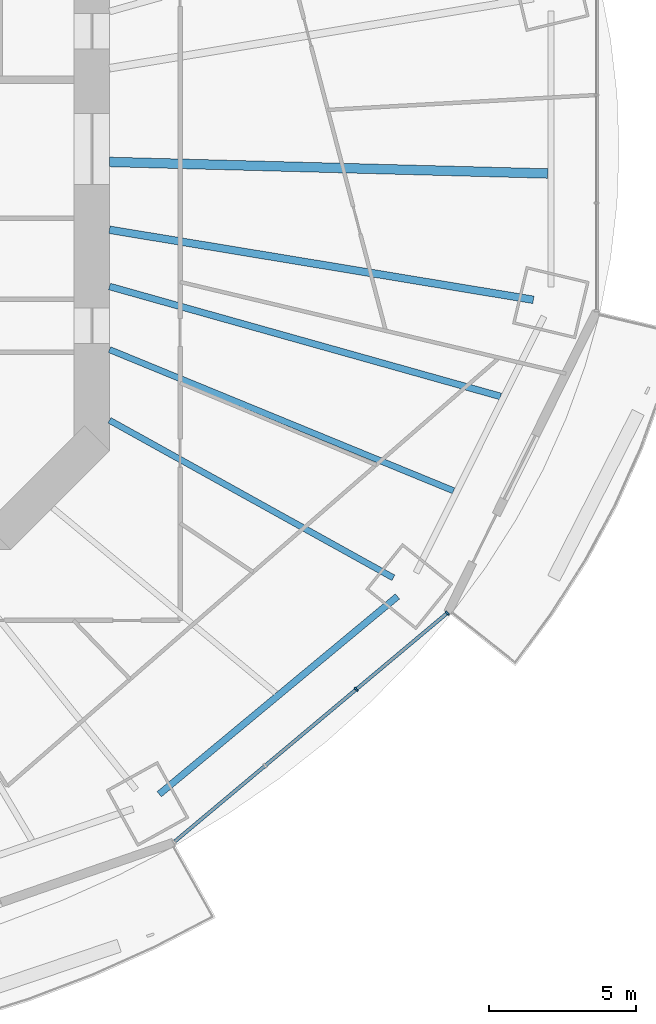
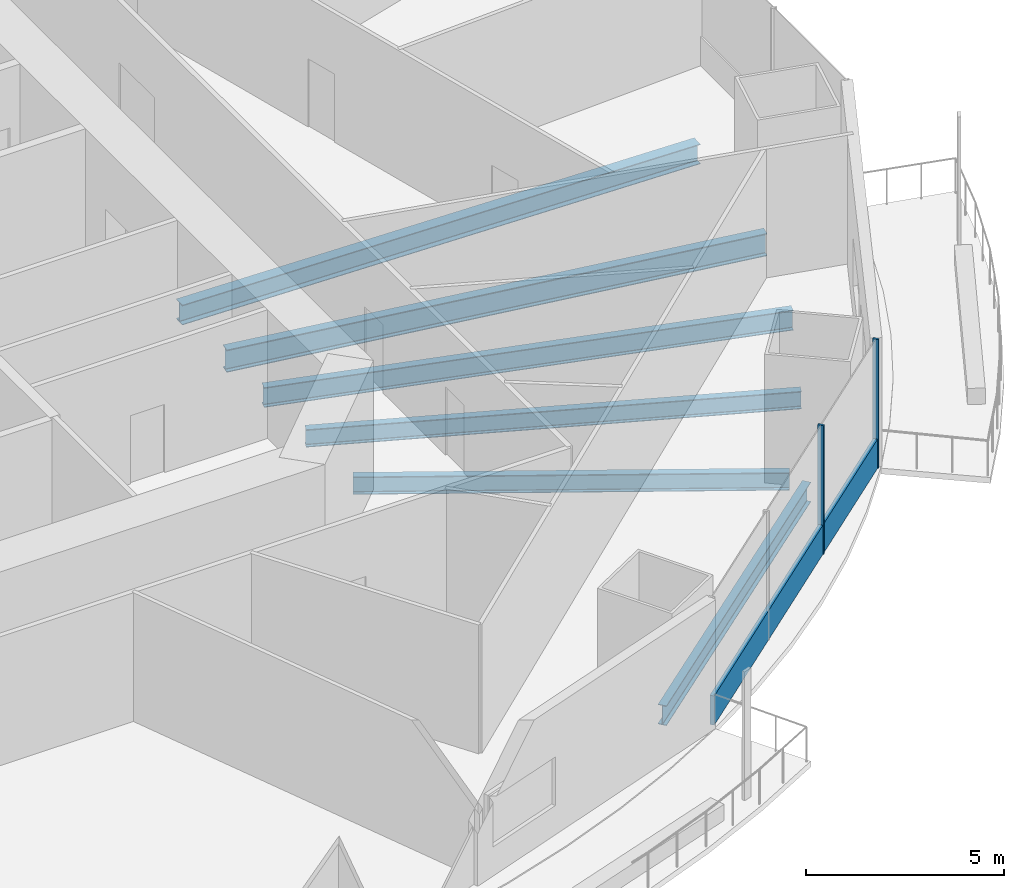
# One storey, part 5 of 21: 6 beams, 3 members, 1 element without a shape of its own.
"""IFC4 building model written with IfcOpenShell, lengths in metres."""

from ifc_helpers import new_model, si_unit, direction, frame, origin, origin_2d, place, context, subcontext, project, spatial, rectangle, i_section, extrude, material, material_profile, profile_set, type_object, element, aggregate, save


model = new_model("IFC4")

# Units and contexts
model_context = context("Model", 3, precision=1e-05, world=origin(), true_north=direction((0.0, 1.0)))
body_context = subcontext(model_context, "Body", "Model", "MODEL_VIEW")
ifc_project = project(units=[si_unit("LENGTHUNIT", "METRE"), si_unit("AREAUNIT", "SQUARE_METRE"), si_unit("VOLUMEUNIT", "CUBIC_METRE"), si_unit("PLANEANGLEUNIT", "RADIAN"), si_unit("MASSUNIT", "GRAM", prefix="KILO")], contexts=[model_context])

# Site, building, storey
site_placement = place(None, origin())
site = spatial("IfcSite", under=ifc_project, at=site_placement, CompositionType="ELEMENT")
building_placement = place(site_placement, origin())
building = spatial("IfcBuilding", under=site, at=building_placement, Name="Marenthal Gate Tower", CompositionType="ELEMENT")
storey_placement = place(building_placement, frame((0.0, 0.0, 128.449951171875)))
storey = spatial("IfcBuildingStorey", under=building, at=storey_placement, Name="L27", CompositionType="ELEMENT", Elevation=128.449951171875)

# Curtain wall, members
ifc_material_1 = material(Name="Aluminium and glass", Category="aluminium")
curtain_wall_type = type_object("IfcCurtainWallType", Name="Curtain wall typical low", PredefinedType="NOTDEFINED", material=ifc_material_1)
curtain_wall_placement = place(storey_placement, origin())
curtain_wall = element("IfcCurtainWall", 1, at=curtain_wall_placement, inside=storey, type_object=curtain_wall_type, Name="Curtain wall L27 bay 14", PredefinedType="NOTDEFINED")
ifc_material_2 = material(Name="Aluminium", Category="aluminium")
ifc_material_profile_1 = material_profile(ifc_material_2, rectangle(XDim=0.159912109375, YDim=0.06005859375, at=origin_2d()), Name="60x160 aluminium mullion")
ifc_profile_set_1 = profile_set([ifc_material_profile_1], Name="Aluminium")
member_type_1 = type_object("IfcMemberType", Name="Mullion 60x160 typical low", PredefinedType="MULLION", material=ifc_profile_set_1)
member_1_placement = place(storey_placement, frame((24.975830078125, -18.345947265625, 0.0), z_axis=(0.0, 0.0, 1.0), x_axis=(-0.642437868504, 0.766337774817, 0.0)))
member_1 = element("IfcMember", 2, at=member_1_placement, type_object=member_type_1, Name="Mullion L27 bay 14.3", PredefinedType="MULLION", context=body_context, shape_type="SweptSolid", body=[
    extrude(rectangle(XDim=0.159912109375, YDim=0.06005859375, at=origin_2d()), origin(), (0.0, 0.0, 1.0), 3.969970703125),
])
member_2_placement = place(storey_placement, frame((28.0673828125, -15.754150390625, 0.0), z_axis=(0.0, 0.0, 1.0), x_axis=(-0.642437868504, 0.766337774817, 0.0)))
member_2 = element("IfcMember", 3, at=member_2_placement, type_object=member_type_1, Name="Mullion L27 bay 14.4", PredefinedType="MULLION", context=body_context, shape_type="SweptSolid", body=[
    extrude(rectangle(XDim=0.159912109375, YDim=0.06005859375, at=origin_2d()), origin(), (0.0, 0.0, 1.0), 3.969970703125),
])
ifc_material_3 = material(Name="Aluminium", Category="aluminium")
ifc_material_profile_2 = material_profile(ifc_material_3, rectangle(XDim=0.1201171875, YDim=0.89990234375, at=origin_2d()), Name="120x900 aluminium transom")
ifc_profile_set_2 = profile_set([ifc_material_profile_2], Name="Aluminium")
member_type_2 = type_object("IfcMemberType", Name="Transom 120x900 typical low", PredefinedType="USERDEFINED", material=ifc_profile_set_2)
member_3_placement = place(storey_placement, frame((18.8154296875, -23.51025390625, 0.449951171875), z_axis=(0.766340278264, 0.642434882233, 0.0), x_axis=(-0.642434882233, 0.766340278264, 0.0)))
member_3 = element("IfcMember", 4, at=member_3_placement, type_object=member_type_2, Name="Transom L27 bay 14", ObjectType="TRANSOM", PredefinedType="USERDEFINED", context=body_context, shape_type="SweptSolid", body=[
    extrude(rectangle(XDim=0.1201171875, YDim=0.89990234375, at=origin_2d()), origin(), (0.0, 0.0, 1.0), 12.04296875),
])
aggregate(curtain_wall, [member_1, member_2, member_3])

# Beams
ifc_material_4 = material(Name="Steel S355", Category="steel")
ifc_material_profile_3 = material_profile(ifc_material_4, i_section(OverallWidth=0.2119140625, OverallDepth=0.5439453125, WebThickness=0.01318359375, FlangeThickness=0.021240234375, FilletRadius=0.0126953125, at=origin_2d()), Name="W530X123")
ifc_profile_set_3 = profile_set([ifc_material_profile_3], Name="Steel S355")
beam_type_1 = type_object("IfcBeamType", Name="W530X123 beam", PredefinedType="BEAM", material=ifc_profile_set_3)
beam_1_placement = place(storey_placement, frame((26.23779296875, -14.55810546875, -0.451904296875), z_axis=(-0.874421492378, 0.485167036872, 0.0), x_axis=(-0.485167036872, -0.874421492378, 0.0)))
element("IfcBeam", 5, at=beam_1_placement, inside=storey, type_object=beam_type_1, Name="BM-L27-15", PredefinedType="BEAM", context=body_context, shape_type="SweptSolid", body=[
    extrude(i_section(OverallWidth=0.2119140625, OverallDepth=0.5439453125, WebThickness=0.01318359375, FlangeThickness=0.021240234375, FilletRadius=0.0126953125, at=origin_2d()), origin(), (0.0, 0.0, 1.0), 11.021728515625),
])
beam_2_placement = place(storey_placement, frame((28.281005859375, -11.603515625, -0.451904296875), z_axis=(-0.925153122317, 0.379594125702, 0.0), x_axis=(-0.379594125702, -0.925153122317, 0.0)))
element("IfcBeam", 6, at=beam_2_placement, inside=storey, type_object=beam_type_1, Name="BM-L27-38", PredefinedType="BEAM", context=body_context, shape_type="SweptSolid", body=[
    extrude(i_section(OverallWidth=0.2119140625, OverallDepth=0.5439453125, WebThickness=0.01318359375, FlangeThickness=0.021240234375, FilletRadius=0.0126953125, at=origin_2d()), origin(), (0.0, 0.0, 1.0), 12.6259765625),
])
ifc_material_5 = material(Name="Steel S355", Category="steel")
ifc_material_profile_4 = material_profile(ifc_material_5, i_section(OverallWidth=0.22900390625, OverallDepth=0.612060546875, WebThickness=0.011962890625, FlangeThickness=0.01953125, FilletRadius=0.0126953125, at=origin_2d()), Name="W610X125")
ifc_profile_set_4 = profile_set([ifc_material_profile_4], Name="Steel S355")
beam_type_2 = type_object("IfcBeamType", Name="W610X125 beam", PredefinedType="BEAM", material=ifc_profile_set_4)
beam_3_placement = place(storey_placement, frame((29.87841796875, -8.401123046875, -0.48583984375), z_axis=(-0.962667661215, 0.270686117213, 0.0), x_axis=(-0.270686117213, -0.962667661215, 0.0)))
element("IfcBeam", 7, at=beam_3_placement, inside=storey, type_object=beam_type_2, Name="BM-L27-39", PredefinedType="BEAM", context=body_context, shape_type="SweptSolid", body=[
    extrude(i_section(OverallWidth=0.22900390625, OverallDepth=0.612060546875, WebThickness=0.011962890625, FlangeThickness=0.01953125, FilletRadius=0.0126953125, at=origin_2d()), origin(), (0.0, 0.0, 1.0), 13.793212890625),
])
beam_4_placement = place(storey_placement, frame((18.289794921875, -21.904541015625, -0.48583984375), z_axis=(0.769335786628, 0.638844619148, 0.0), x_axis=(-0.638844619148, 0.769335786628, 0.0)))
element("IfcBeam", 8, at=beam_4_placement, inside=storey, type_object=beam_type_2, Name="BM-L27-54", PredefinedType="BEAM", context=body_context, shape_type="SweptSolid", body=[
    extrude(i_section(OverallWidth=0.22900390625, OverallDepth=0.612060546875, WebThickness=0.011962890625, FlangeThickness=0.01953125, FilletRadius=0.0126953125, at=origin_2d()), origin(), (0.0, 0.0, 1.0), 10.510986328125),
])
ifc_material_6 = material(Name="Steel S355", Category="steel")
ifc_material_profile_5 = material_profile(ifc_material_6, i_section(OverallWidth=0.324951171875, OverallDepth=0.612060546875, WebThickness=0.0126953125, FlangeThickness=0.01904296875, FilletRadius=0.0126953125, at=origin_2d()), Name="W610X155")
ifc_profile_set_5 = profile_set([ifc_material_profile_5], Name="Steel S355")
beam_type_3 = type_object("IfcBeamType", Name="W610X155 beam", PredefinedType="BEAM", material=ifc_profile_set_5)
beam_5_placement = place(storey_placement, frame((31.479248046875, -0.831787109375, -0.48583984375), z_axis=(-0.999651246677, 0.026408048358, 0.0), x_axis=(-0.026408048358, -0.999651246677, 0.0)))
element("IfcBeam", 9, at=beam_5_placement, inside=storey, type_object=beam_type_3, Name="BM-L27-40", PredefinedType="BEAM", context=body_context, shape_type="SweptSolid", body=[
    extrude(i_section(OverallWidth=0.324951171875, OverallDepth=0.612060546875, WebThickness=0.0126953125, FlangeThickness=0.01904296875, FilletRadius=0.0126953125, at=origin_2d()), origin(), (0.0, 0.0, 1.0), 14.88427734375),
])
ifc_material_7 = material(Name="Steel S355", Category="steel")
ifc_material_profile_6 = material_profile(ifc_material_7, i_section(OverallWidth=0.257080078125, OverallDepth=0.693115234375, WebThickness=0.014404296875, FlangeThickness=0.023681640625, FilletRadius=0.015380859375, at=origin_2d()), Name="W690X170")
ifc_profile_set_6 = profile_set([ifc_material_profile_6], Name="Steel S355")
beam_type_4 = type_object("IfcBeamType", Name="W690X170 beam", PredefinedType="BEAM", material=ifc_profile_set_6)
beam_6_placement = place(storey_placement, frame((30.990478515625, -5.118896484375, -0.5263671875), z_axis=(-0.986631300462, 0.162968331122, 0.0), x_axis=(-0.162968331122, -0.986631300462, 0.0)))
element("IfcBeam", 10, at=beam_6_placement, inside=storey, type_object=beam_type_4, Name="BM-L27-16", PredefinedType="BEAM", context=body_context, shape_type="SweptSolid", body=[
    extrude(i_section(OverallWidth=0.257080078125, OverallDepth=0.693115234375, WebThickness=0.014404296875, FlangeThickness=0.023681640625, FilletRadius=0.015380859375, at=origin_2d()), origin(), (0.0, 0.0, 1.0), 14.58544921875),
])

save(model, "model.ifc")
